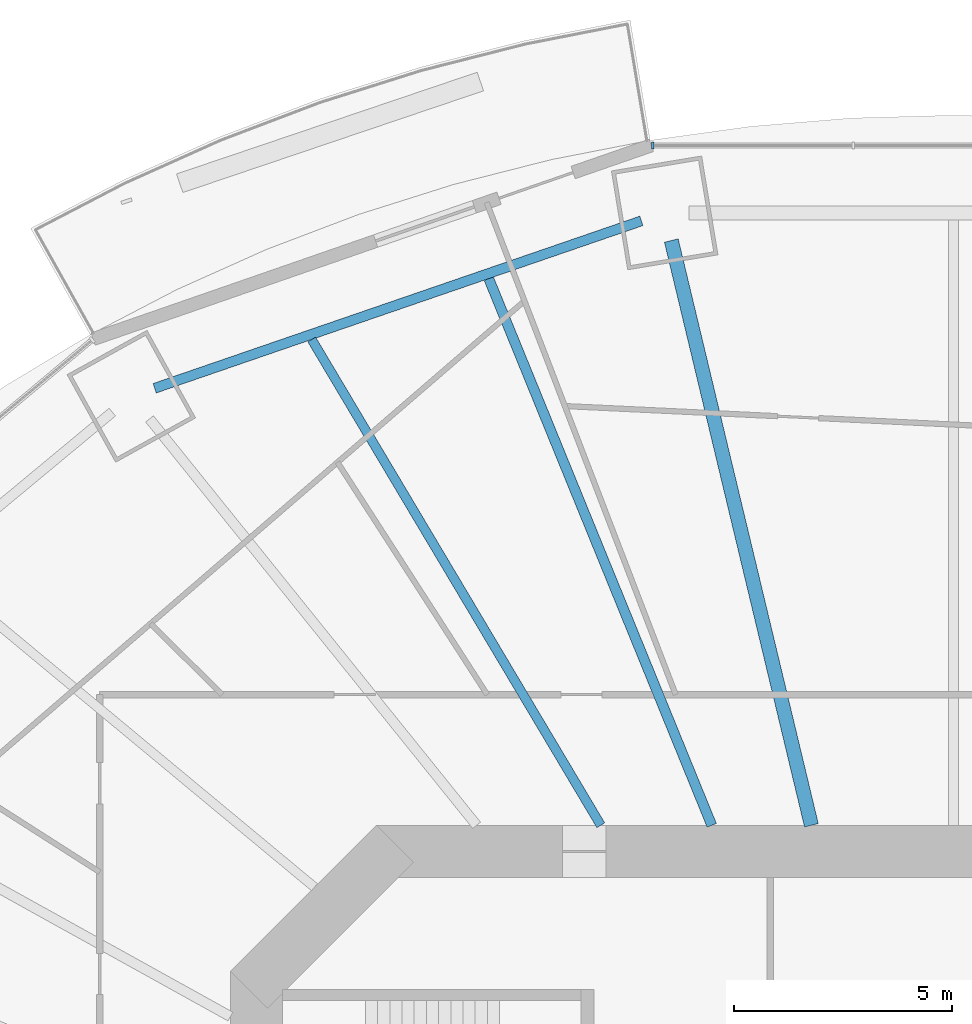
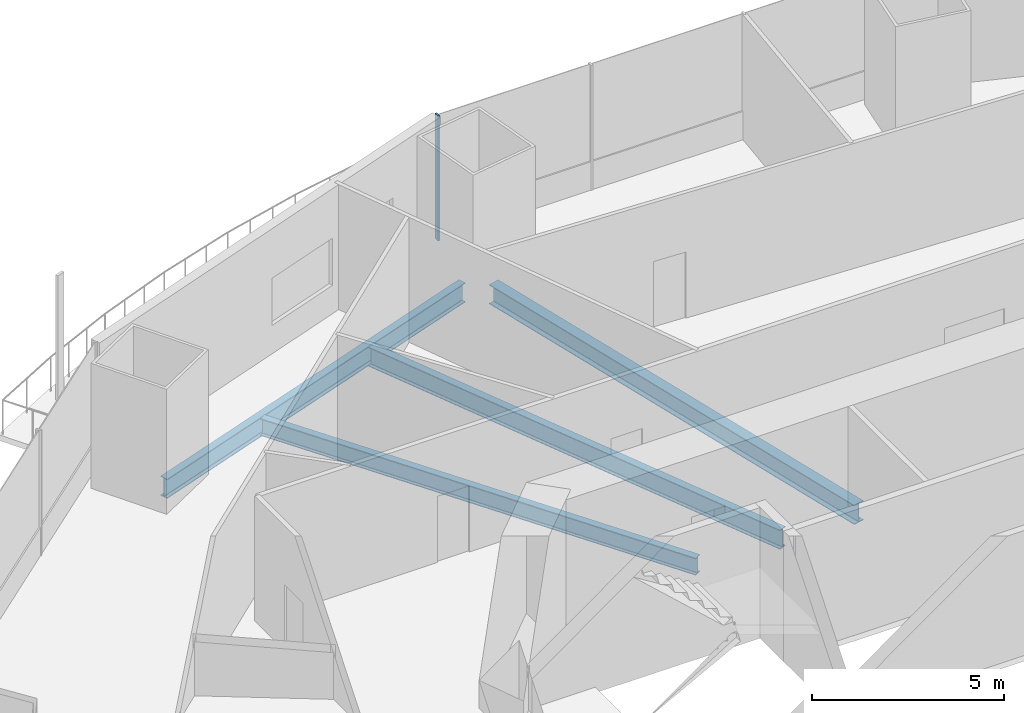
# One storey, part 7 of 22: 4 beams, 1 member, 1 element without a shape of its own.
"""IFC4 building model written with IfcOpenShell, lengths in metres."""

import ifcopenshell
import ifcopenshell.guid

model = None  # the IFC model being written
_history = None  # IfcOwnerHistory: only IFC2X3 demands one
_inside = {}  # id of a spatial element -> (the spatial element, [elements in it])
_under = {}  # id of a project, library or spatial element -> (it, [spatial elements below it])
_declared = {}  # id of a project -> (the project, [libraries it declares])
_typed = {}  # id of a type object -> (the type object, [elements of that type])
_made_of = {}  # id of a material, layer set ... -> (it, [elements and type objects made of it])


def new_model(schema):
    """Start an empty IFC model of exactly this schema.

    Asked for "IFC4X3", IfcOpenShell would pick the latest addendum, in which some entities
    have other attributes; the version numbers below select the first issue.
    IFC2X3 requires an IfcOwnerHistory on every rooted entity: one is made here for all.
    """
    global model, _history
    if schema == "IFC4X3":
        model = ifcopenshell.file(schema_version=(4, 3, 0, 0))
    else:
        model = ifcopenshell.file(schema=schema)
    _inside.clear()
    _under.clear()
    _declared.clear()
    _typed.clear()
    _made_of.clear()
    _history = None
    if model.schema == "IFC2X3":
        org = make("IfcOrganization", Name="unknown")
        user = make(
            "IfcPersonAndOrganization",
            ThePerson=make("IfcPerson", FamilyName="unknown"),
            TheOrganization=org,
        )
        app = make(
            "IfcApplication",
            ApplicationDeveloper=org,
            Version="unknown",
            ApplicationFullName="unknown",
            ApplicationIdentifier="unknown",
        )
        _history = make(
            "IfcOwnerHistory",
            OwningUser=user,
            OwningApplication=app,
            ChangeAction="ADDED",
            CreationDate=0,
        )
    return model


def make(cls, **values):
    """One entity of the class cls with the attributes given. An attribute that is None is left unset."""
    return model.create_entity(
        cls, **{name: value for name, value in values.items() if value is not None}
    )


def rooted(cls, **values):
    """An entity with a GlobalId (a new one), such as an element, a storey or a relation."""
    return make(cls, GlobalId=ifcopenshell.guid.new(), OwnerHistory=_history, **values)


def si_unit(unit_type, name, prefix=None):
    """IfcSIUnit, for example si_unit("LENGTHUNIT", "METRE", prefix="MILLI")."""
    return make("IfcSIUnit", UnitType=unit_type, Prefix=prefix, Name=name)


def assignment(units):
    """IfcUnitAssignment: the units of a project."""
    return None if units is None else make("IfcUnitAssignment", Units=units)


def point(xyz):
    """IfcCartesianPoint."""
    return None if xyz is None else make("IfcCartesianPoint", Coordinates=xyz)


def direction(xyz):
    """IfcDirection."""
    return None if xyz is None else make("IfcDirection", DirectionRatios=xyz)


def frame(location, z_axis=None, x_axis=None):
    """IfcAxis2Placement3D, a coordinate frame: its origin and axes. An axis left out is left unset."""
    return make(
        "IfcAxis2Placement3D",
        Location=point(location),
        Axis=direction(z_axis),
        RefDirection=direction(x_axis),
    )


def frame_2d(location, x_axis=None):
    """IfcAxis2Placement2D, a coordinate frame in the plane: its origin and x axis."""
    return make(
        "IfcAxis2Placement2D", Location=point(location), RefDirection=direction(x_axis)
    )


def origin():
    """The frame at (0, 0, 0) with its axes left unset."""
    return frame((0.0, 0.0, 0.0))


def origin_2d():
    """The frame at (0, 0) in the plane with its x axis left unset."""
    return frame_2d((0.0, 0.0))


def place(relative_to, where):
    """IfcLocalPlacement: puts the frame where relative to a parent placement (None: the world)."""
    return make(
        "IfcLocalPlacement", PlacementRelTo=relative_to, RelativePlacement=where
    )


def context(
    kind, dimensions, precision=None, world=None, true_north=None, identifier=None
):
    """IfcGeometricRepresentationContext, for example the 3D "Model" context."""
    return make(
        "IfcGeometricRepresentationContext",
        ContextIdentifier=identifier,
        ContextType=kind,
        CoordinateSpaceDimension=dimensions,
        Precision=precision,
        WorldCoordinateSystem=world,
        TrueNorth=true_north,
    )


def subcontext(parent, identifier, kind, view, scale=None):
    """IfcGeometricRepresentationSubContext, for example "Body" below "Model"."""
    return make(
        "IfcGeometricRepresentationSubContext",
        ContextIdentifier=identifier,
        ContextType=kind,
        ParentContext=parent,
        TargetScale=scale,
        TargetView=view,
    )


def project(units=None, contexts=None):
    """IfcProject with its units and contexts."""
    return rooted(
        "IfcProject",
        Name="project",
        RepresentationContexts=contexts,
        UnitsInContext=assignment(units),
    )


def spatial(cls, under=None, at=None, **own):
    """A site, building, storey or space (cls), placed at a placement, below another one or the project."""
    s = rooted(cls, ObjectPlacement=at, **own)
    if under is not None:
        _under.setdefault(under.id(), (under, []))[1].append(s)
    return s


def profile(cls, at=None, kind="AREA", **sizes):
    """A parametric profile (cls). Its sizes go by their IFC names, for example OverallWidth=200.0."""
    return make(cls, ProfileType=kind, Position=at, **sizes)


def rectangle(**sizes):
    """IfcRectangleProfileDef."""
    return profile("IfcRectangleProfileDef", **sizes)


def i_section(**sizes):
    """IfcIShapeProfileDef."""
    return profile("IfcIShapeProfileDef", **sizes)


def extrude(swept, where, along, depth):
    """IfcExtrudedAreaSolid: the profile swept, set in the frame where, extruded along a direction by depth."""
    return make(
        "IfcExtrudedAreaSolid",
        SweptArea=swept,
        Position=where,
        ExtrudedDirection=direction(along),
        Depth=depth,
    )


def shape(context_of_items, identifier, shape_type, items):
    """IfcShapeRepresentation: the items that make up one representation, for example the "Body"."""
    return make(
        "IfcShapeRepresentation",
        ContextOfItems=context_of_items,
        RepresentationIdentifier=identifier,
        RepresentationType=shape_type,
        Items=items,
    )


def material(Name=None, Category=None):
    """IfcMaterial."""
    return make("IfcMaterial", Name=Name, Category=Category)


def material_profile(
    of_material, cross_section, Name=None, Category=None, Priority=None
):
    """IfcMaterialProfile: a cross section and its material."""
    return make(
        "IfcMaterialProfile",
        Name=Name,
        Material=of_material,
        Profile=cross_section,
        Priority=Priority,
        Category=Category,
    )


def profile_set(profiles, Name=None, composite=None):
    """IfcMaterialProfileSet."""
    return make(
        "IfcMaterialProfileSet",
        Name=Name,
        MaterialProfiles=profiles,
        CompositeProfile=composite,
    )


def made_of(thing, what):
    """Note that an element or type object is made of a material, layer set ...; save() writes the relation."""
    if what is not None:
        _made_of.setdefault(what.id(), (what, []))[1].append(thing)
    return thing


def type_object(cls, material=None, **own):
    """A type object (cls), such as IfcWallType, which elements share."""
    return made_of(rooted(cls, **own), material)


def element(
    cls,
    number,
    at=None,
    inside=None,
    cuts=None,
    type_object=None,
    material=None,
    context=None,
    identifier="Body",
    shape_type=None,
    held_by="IfcProductDefinitionShape",
    body=None,
    shapes=None,
    **own,
):
    """One element of the class cls, such as IfcWall. Its Tag is "e" and its number.

    at: its placement. inside: the storey or other place that contains it. cuts: it is an
    opening in that element (IfcRelVoidsElement). A single representation is given by context,
    identifier, shape_type and body (its items); several are given by shapes. held_by: the class
    of the entity that holds the representations. save() writes the other relations.
    """
    e = rooted(cls, Tag="e%d" % number, ObjectPlacement=at, **own)
    if body is not None:
        shapes = [shape(context, identifier, shape_type, body)]
    if shapes is not None:
        e.Representation = make(held_by, Representations=shapes)
    if inside is not None:
        _inside.setdefault(inside.id(), (inside, []))[1].append(e)
    if cuts is not None:
        rooted(
            "IfcRelVoidsElement", RelatingBuildingElement=cuts, RelatedOpeningElement=e
        )
    if type_object is not None:
        _typed.setdefault(type_object.id(), (type_object, []))[1].append(e)
    return made_of(e, material)


def aggregate(whole, parts):
    """IfcRelAggregates: a whole, such as a stair, and the parts it consists of."""
    return rooted("IfcRelAggregates", RelatingObject=whole, RelatedObjects=parts)


def save(model, path):
    """Write the relations noted so far, then the file.

    IfcRelAggregates (storeys below a building ...), IfcRelContainedInSpatialStructure (elements
    in a storey), IfcRelDefinesByType, IfcRelAssociatesMaterial and IfcRelDeclares: one each for
    every whole, place, type object, material and project.
    """
    for whole, parts in _under.values():
        aggregate(whole, parts)
    for where, things in _inside.values():
        rooted(
            "IfcRelContainedInSpatialStructure",
            RelatedElements=things,
            RelatingStructure=where,
        )
    for kind, things in _typed.values():
        rooted("IfcRelDefinesByType", RelatedObjects=things, RelatingType=kind)
    for what, things in _made_of.values():
        rooted("IfcRelAssociatesMaterial", RelatedObjects=things, RelatingMaterial=what)
    for by, libraries in _declared.values():
        rooted("IfcRelDeclares", RelatingContext=by, RelatedDefinitions=libraries)
    model.write(path)


model = new_model("IFC4")

# Units and contexts
model_context = context("Model", 3, precision=1e-05, world=origin(), true_north=direction((0.0, 1.0)))
body_context = subcontext(model_context, "Body", "Model", "MODEL_VIEW")
ifc_project = project(units=[si_unit("LENGTHUNIT", "METRE"), si_unit("AREAUNIT", "SQUARE_METRE"), si_unit("VOLUMEUNIT", "CUBIC_METRE"), si_unit("PLANEANGLEUNIT", "RADIAN"), si_unit("MASSUNIT", "GRAM", prefix="KILO")], contexts=[model_context])

# Site, building, storey
site_placement = place(None, origin())
site = spatial("IfcSite", under=ifc_project, at=site_placement, CompositionType="ELEMENT")
building_placement = place(site_placement, origin())
building = spatial("IfcBuilding", under=site, at=building_placement, Name="Marenthal Gate Tower", CompositionType="ELEMENT")
storey_placement = place(building_placement, frame((0.0, 0.0, 74.5)))
storey = spatial("IfcBuildingStorey", under=building, at=storey_placement, Name="L14", CompositionType="ELEMENT", Elevation=74.5)

# Curtain wall, member
ifc_material_1 = material(Name="Aluminium and glass", Category="aluminium")
curtain_wall_type = type_object("IfcCurtainWallType", Name="Curtain wall typical low", PredefinedType="NOTDEFINED", material=ifc_material_1)
curtain_wall_placement = place(storey_placement, origin())
curtain_wall = element("IfcCurtainWall", 1, at=curtain_wall_placement, inside=storey, type_object=curtain_wall_type, Name="Curtain wall L14 bay 4", PredefinedType="NOTDEFINED")
ifc_material_2 = material(Name="Aluminium", Category="aluminium")
ifc_material_profile_1 = material_profile(ifc_material_2, rectangle(XDim=0.159912109375, YDim=0.06005859375, at=origin_2d()), Name="60x160 aluminium mullion")
ifc_profile_set_1 = profile_set([ifc_material_profile_1], Name="Aluminium")
member_type = type_object("IfcMemberType", Name="Mullion 60x160 typical low", PredefinedType="MULLION", material=ifc_profile_set_1)
member_placement = place(storey_placement, frame((-6.906005859375, 29.211669921875, 0.0), z_axis=(0.0, 0.0, 1.0), x_axis=(0.0, -1.0, 0.0)))
member = element("IfcMember", 2, at=member_placement, type_object=member_type, Name="Mullion L14 bay 4.4", PredefinedType="MULLION", context=body_context, shape_type="SweptSolid", body=[
    extrude(rectangle(XDim=0.159912109375, YDim=0.06005859375, at=origin_2d()), origin(), (0.0, 0.0, 1.0), 3.969970703125),
])
aggregate(curtain_wall, [member])

# Beams
ifc_material_3 = material(Name="Steel S355", Category="steel")
ifc_material_profile_2 = material_profile(ifc_material_3, i_section(OverallWidth=0.2119140625, OverallDepth=0.5439453125, WebThickness=0.01318359375, FlangeThickness=0.021240234375, FilletRadius=0.0126953125, at=origin_2d()), Name="W530X123")
ifc_profile_set_2 = profile_set([ifc_material_profile_2], Name="Steel S355")
beam_type_1 = type_object("IfcBeamType", Name="W530X123 beam", PredefinedType="BEAM", material=ifc_profile_set_2)
beam_1_placement = place(storey_placement, frame((-14.732421875, 24.754150390625, -0.451904296875), z_axis=(0.511433266122, -0.859322997658, 0.0), x_axis=(0.859322997658, 0.511433266122, 0.0)))
element("IfcBeam", 3, at=beam_1_placement, inside=storey, type_object=beam_type_1, Name="BM-L14-24", PredefinedType="BEAM", context=body_context, shape_type="SweptSolid", body=[
    extrude(i_section(OverallWidth=0.2119140625, OverallDepth=0.5439453125, WebThickness=0.01318359375, FlangeThickness=0.021240234375, FilletRadius=0.0126953125, at=origin_2d()), origin(), (0.0, 0.0, 1.0), 12.97998046875),
])
ifc_material_4 = material(Name="Steel S355", Category="steel")
ifc_material_profile_3 = material_profile(ifc_material_4, i_section(OverallWidth=0.22900390625, OverallDepth=0.612060546875, WebThickness=0.011962890625, FlangeThickness=0.01953125, FilletRadius=0.0126953125, at=origin_2d()), Name="W610X125")
ifc_profile_set_3 = profile_set([ifc_material_profile_3], Name="Steel S355")
beam_type_2 = type_object("IfcBeamType", Name="W610X125 beam", PredefinedType="BEAM", material=ifc_profile_set_3)
beam_2_placement = place(storey_placement, frame((-10.666748046875, 26.152099609375, -0.486083984375), z_axis=(0.377666991807, -0.925941490214, 0.0), x_axis=(0.925941490214, 0.377666991807, 0.0)))
element("IfcBeam", 4, at=beam_2_placement, inside=storey, type_object=beam_type_2, Name="BM-L14-23", PredefinedType="BEAM", context=body_context, shape_type="SweptSolid", body=[
    extrude(i_section(OverallWidth=0.22900390625, OverallDepth=0.612060546875, WebThickness=0.011962890625, FlangeThickness=0.01953125, FilletRadius=0.0126953125, at=origin_2d()), origin(), (0.0, 0.0, 1.0), 13.555908203125),
])
beam_3_placement = place(storey_placement, frame((-7.162109375, 27.478515625, -0.486083984375), z_axis=(-0.94564769726, -0.325192916076, 0.0), x_axis=(0.325192916076, -0.94564769726, 0.0)))
element("IfcBeam", 5, at=beam_3_placement, inside=storey, type_object=beam_type_2, Name="BM-L14-45", PredefinedType="BEAM", context=body_context, shape_type="SweptSolid", body=[
    extrude(i_section(OverallWidth=0.22900390625, OverallDepth=0.612060546875, WebThickness=0.011962890625, FlangeThickness=0.01953125, FilletRadius=0.0126953125, at=origin_2d()), origin(), (0.0, 0.0, 1.0), 11.819091796875),
])
ifc_material_5 = material(Name="Steel S355", Category="steel")
ifc_material_profile_4 = material_profile(ifc_material_5, i_section(OverallWidth=0.324951171875, OverallDepth=0.612060546875, WebThickness=0.0126953125, FlangeThickness=0.01904296875, FilletRadius=0.0126953125, at=origin_2d()), Name="W610X155")
ifc_profile_set_4 = profile_set([ifc_material_profile_4], Name="Steel S355")
beam_type_3 = type_object("IfcBeamType", Name="W610X155 beam", PredefinedType="BEAM", material=ifc_profile_set_4)
beam_4_placement = place(storey_placement, frame((-6.4755859375, 27.027099609375, -0.486083984375), z_axis=(0.233000428797, -0.972476632203, 0.0), x_axis=(0.972476632203, 0.233000428797, 0.0)))
element("IfcBeam", 6, at=beam_4_placement, inside=storey, type_object=beam_type_3, Name="BM-L14-05", PredefinedType="BEAM", context=body_context, shape_type="SweptSolid", body=[
    extrude(i_section(OverallWidth=0.324951171875, OverallDepth=0.612060546875, WebThickness=0.0126953125, FlangeThickness=0.01904296875, FilletRadius=0.0126953125, at=origin_2d()), origin(), (0.0, 0.0, 1.0), 13.80712890625),
])

save(model, "model.ifc")
